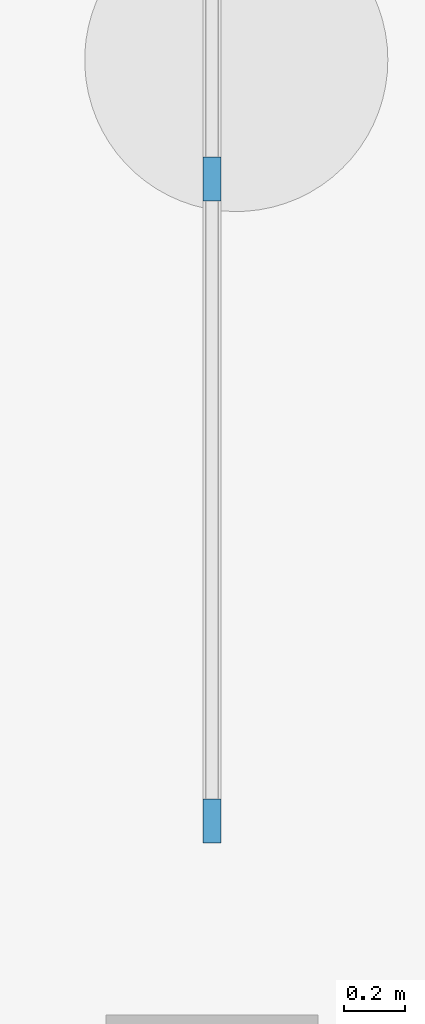
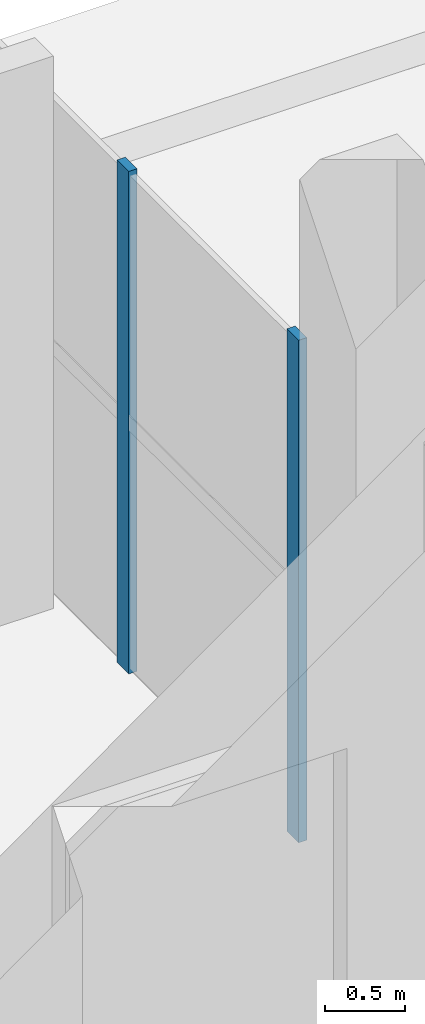
# One storey, part 55 of 98: 2 members, 1 element without a shape of its own.
"""IFC4 building model written with IfcOpenShell, lengths in metres."""

from ifc_helpers import new_model, si_unit, derived_unit, direction, frame, origin, origin_2d, place, context, subcontext, project, spatial, rectangle, extrude, material, layer, layer_set, material_profile, profile_set, type_object, element, aggregate, save


model = new_model("IFC4")

# Units and contexts
model_context = context("Model", 3, precision=1e-05, world=origin(), true_north=direction((0.0, 1.0)))
body_context = subcontext(model_context, "Body", "Model", "MODEL_VIEW")
ifc_project = project(units=[si_unit("LENGTHUNIT", "METRE"), si_unit("AREAUNIT", "SQUARE_METRE"), si_unit("VOLUMEUNIT", "CUBIC_METRE"), si_unit("PLANEANGLEUNIT", "RADIAN"), si_unit("MASSUNIT", "GRAM", prefix="KILO"), si_unit("THERMODYNAMICTEMPERATUREUNIT", "KELVIN"), derived_unit("THERMALTRANSMITTANCEUNIT", [(si_unit("POWERUNIT", "WATT"), 1), (si_unit("AREAUNIT", "SQUARE_METRE"), -1), (si_unit("THERMODYNAMICTEMPERATUREUNIT", "KELVIN"), -1)])], contexts=[model_context])

# Site, building, storey
site_placement = place(None, origin())
site = spatial("IfcSite", under=ifc_project, at=site_placement, CompositionType="ELEMENT")
building_placement = place(site_placement, origin())
building = spatial("IfcBuilding", under=site, at=building_placement, Name="Haiyu Intermodal Mobility Hub", CompositionType="ELEMENT")
storey_placement = place(building_placement, origin())
storey = spatial("IfcBuildingStorey", under=building, at=storey_placement, Name="L00", CompositionType="ELEMENT", Elevation=0.0)

# Curtain wall, members
ifc_material_1 = material(Name="Low-e laminated insulating glass", Category="glass")
ifc_layer = layer(ifc_material_1, 0.199951171875)
ifc_layer_set = layer_set([ifc_layer], Name="Low-e laminated insulating glass")
curtain_wall_type = type_object("IfcCurtainWallType", Name="CW-CW03", PredefinedType="NOTDEFINED", material=ifc_layer_set)
curtain_wall_placement = place(storey_placement, origin())
curtain_wall = element("IfcCurtainWall", 1, at=curtain_wall_placement, inside=storey, type_object=curtain_wall_type, Name="Curtain Wall CW-C4S-L00-064", PredefinedType="NOTDEFINED")
ifc_material_2 = material(Name="Anodised aluminium 6063-T6", Category="aluminium")
ifc_material_profile = material_profile(ifc_material_2, rectangle(XDim=0.06005859375, YDim=0.14501953125, at=origin_2d()), Name="ALU60x145")
ifc_profile_set = profile_set([ifc_material_profile], Name="Anodised aluminium 6063-T6")
member_type = type_object("IfcMemberType", Name="CWM-ML03", PredefinedType="MULLION", material=ifc_profile_set)
member_1_placement = place(storey_placement, frame((162.0, 140.989990234375, 0.0), z_axis=(0.0, 0.0, 1.0), x_axis=(1.0, 0.0, 0.0)))
member_1 = element("IfcMember", 2, at=member_1_placement, type_object=member_type, Name="CW-C4S-L00-064-ML01", PredefinedType="MULLION", context=body_context, shape_type="SweptSolid", body=[
    extrude(rectangle(XDim=0.06005859375, YDim=0.14501953125, at=origin_2d()), origin(), (0.0, 0.0, 1.0), 3.820068359375),
])
member_2_placement = place(storey_placement, frame((162.0, 143.10693359375, 0.0), z_axis=(0.0, 0.0, 1.0), x_axis=(1.0, 0.0, 0.0)))
member_2 = element("IfcMember", 3, at=member_2_placement, type_object=member_type, Name="CW-C4S-L00-064-ML02", PredefinedType="MULLION", context=body_context, shape_type="SweptSolid", body=[
    extrude(rectangle(XDim=0.06005859375, YDim=0.14501953125, at=origin_2d()), origin(), (0.0, 0.0, 1.0), 3.820068359375),
])
aggregate(curtain_wall, [member_1, member_2])

save(model, "model.ifc")
